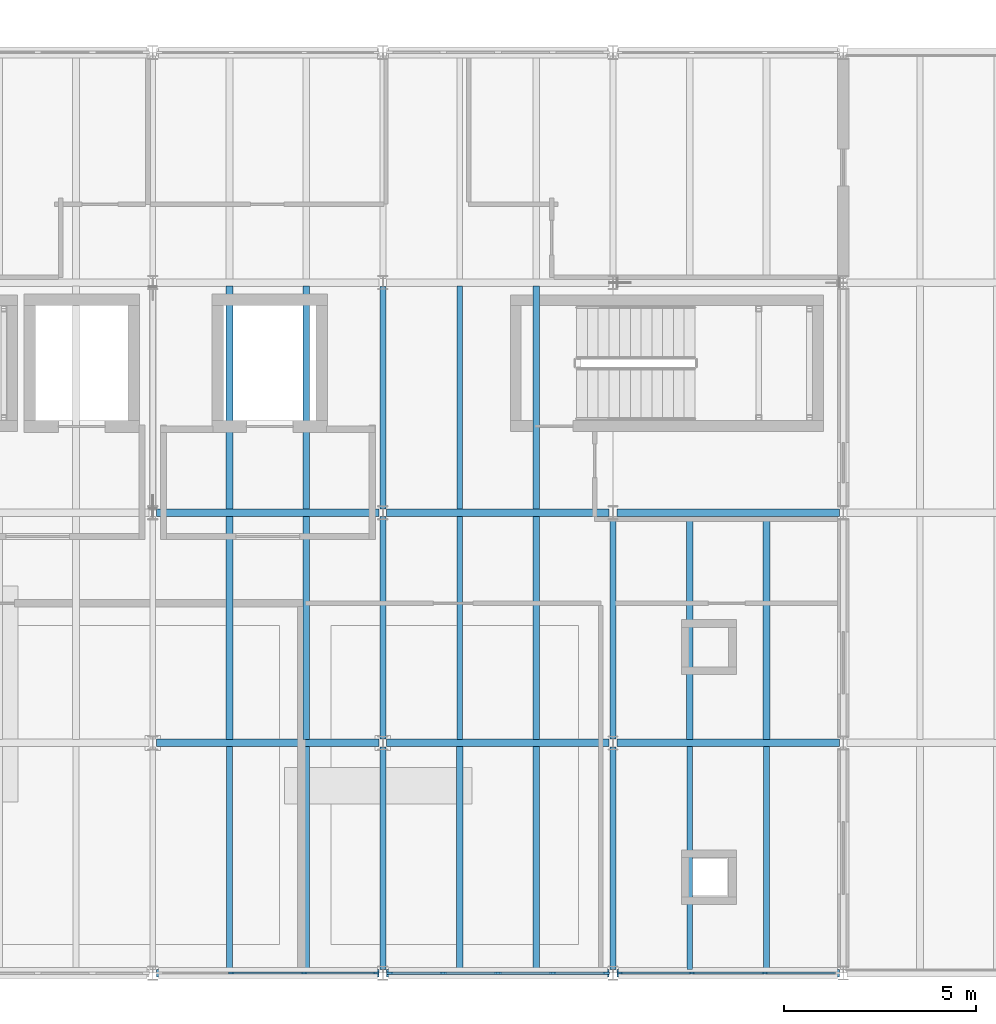
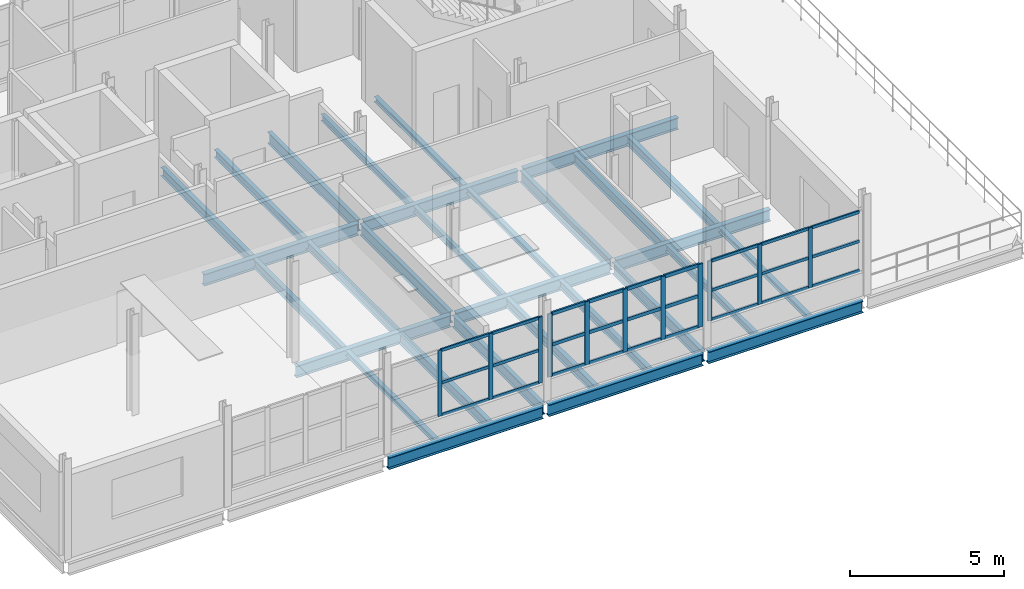
# One storey, part 8 of 23: 38 members, 30 beams, 3 elements without a shape of their own.
"""IFC4 building model written with IfcOpenShell, lengths in metres."""

import ifcopenshell
import ifcopenshell.guid

model = None  # the IFC model being written
_history = None  # IfcOwnerHistory: only IFC2X3 demands one
_inside = {}  # id of a spatial element -> (the spatial element, [elements in it])
_under = {}  # id of a project, library or spatial element -> (it, [spatial elements below it])
_declared = {}  # id of a project -> (the project, [libraries it declares])
_typed = {}  # id of a type object -> (the type object, [elements of that type])
_made_of = {}  # id of a material, layer set ... -> (it, [elements and type objects made of it])


def new_model(schema):
    """Start an empty IFC model of exactly this schema.

    Asked for "IFC4X3", IfcOpenShell would pick the latest addendum, in which some entities
    have other attributes; the version numbers below select the first issue.
    IFC2X3 requires an IfcOwnerHistory on every rooted entity: one is made here for all.
    """
    global model, _history
    if schema == "IFC4X3":
        model = ifcopenshell.file(schema_version=(4, 3, 0, 0))
    else:
        model = ifcopenshell.file(schema=schema)
    _inside.clear()
    _under.clear()
    _declared.clear()
    _typed.clear()
    _made_of.clear()
    _history = None
    if model.schema == "IFC2X3":
        org = make("IfcOrganization", Name="unknown")
        user = make(
            "IfcPersonAndOrganization",
            ThePerson=make("IfcPerson", FamilyName="unknown"),
            TheOrganization=org,
        )
        app = make(
            "IfcApplication",
            ApplicationDeveloper=org,
            Version="unknown",
            ApplicationFullName="unknown",
            ApplicationIdentifier="unknown",
        )
        _history = make(
            "IfcOwnerHistory",
            OwningUser=user,
            OwningApplication=app,
            ChangeAction="ADDED",
            CreationDate=0,
        )
    return model


def make(cls, **values):
    """One entity of the class cls with the attributes given. An attribute that is None is left unset."""
    return model.create_entity(
        cls, **{name: value for name, value in values.items() if value is not None}
    )


def rooted(cls, **values):
    """An entity with a GlobalId (a new one), such as an element, a storey or a relation."""
    return make(cls, GlobalId=ifcopenshell.guid.new(), OwnerHistory=_history, **values)


def si_unit(unit_type, name, prefix=None):
    """IfcSIUnit, for example si_unit("LENGTHUNIT", "METRE", prefix="MILLI")."""
    return make("IfcSIUnit", UnitType=unit_type, Prefix=prefix, Name=name)


def assignment(units):
    """IfcUnitAssignment: the units of a project."""
    return None if units is None else make("IfcUnitAssignment", Units=units)


def point(xyz):
    """IfcCartesianPoint."""
    return None if xyz is None else make("IfcCartesianPoint", Coordinates=xyz)


def direction(xyz):
    """IfcDirection."""
    return None if xyz is None else make("IfcDirection", DirectionRatios=xyz)


def frame(location, z_axis=None, x_axis=None):
    """IfcAxis2Placement3D, a coordinate frame: its origin and axes. An axis left out is left unset."""
    return make(
        "IfcAxis2Placement3D",
        Location=point(location),
        Axis=direction(z_axis),
        RefDirection=direction(x_axis),
    )


def frame_2d(location, x_axis=None):
    """IfcAxis2Placement2D, a coordinate frame in the plane: its origin and x axis."""
    return make(
        "IfcAxis2Placement2D", Location=point(location), RefDirection=direction(x_axis)
    )


def origin():
    """The frame at (0, 0, 0) with its axes left unset."""
    return frame((0.0, 0.0, 0.0))


def origin_2d():
    """The frame at (0, 0) in the plane with its x axis left unset."""
    return frame_2d((0.0, 0.0))


def place(relative_to, where):
    """IfcLocalPlacement: puts the frame where relative to a parent placement (None: the world)."""
    return make(
        "IfcLocalPlacement", PlacementRelTo=relative_to, RelativePlacement=where
    )


def context(
    kind, dimensions, precision=None, world=None, true_north=None, identifier=None
):
    """IfcGeometricRepresentationContext, for example the 3D "Model" context."""
    return make(
        "IfcGeometricRepresentationContext",
        ContextIdentifier=identifier,
        ContextType=kind,
        CoordinateSpaceDimension=dimensions,
        Precision=precision,
        WorldCoordinateSystem=world,
        TrueNorth=true_north,
    )


def subcontext(parent, identifier, kind, view, scale=None):
    """IfcGeometricRepresentationSubContext, for example "Body" below "Model"."""
    return make(
        "IfcGeometricRepresentationSubContext",
        ContextIdentifier=identifier,
        ContextType=kind,
        ParentContext=parent,
        TargetScale=scale,
        TargetView=view,
    )


def project(units=None, contexts=None):
    """IfcProject with its units and contexts."""
    return rooted(
        "IfcProject",
        Name="project",
        RepresentationContexts=contexts,
        UnitsInContext=assignment(units),
    )


def spatial(cls, under=None, at=None, **own):
    """A site, building, storey or space (cls), placed at a placement, below another one or the project."""
    s = rooted(cls, ObjectPlacement=at, **own)
    if under is not None:
        _under.setdefault(under.id(), (under, []))[1].append(s)
    return s


def profile(cls, at=None, kind="AREA", **sizes):
    """A parametric profile (cls). Its sizes go by their IFC names, for example OverallWidth=200.0."""
    return make(cls, ProfileType=kind, Position=at, **sizes)


def rectangle(**sizes):
    """IfcRectangleProfileDef."""
    return profile("IfcRectangleProfileDef", **sizes)


def i_section(**sizes):
    """IfcIShapeProfileDef."""
    return profile("IfcIShapeProfileDef", **sizes)


def extrude(swept, where, along, depth):
    """IfcExtrudedAreaSolid: the profile swept, set in the frame where, extruded along a direction by depth."""
    return make(
        "IfcExtrudedAreaSolid",
        SweptArea=swept,
        Position=where,
        ExtrudedDirection=direction(along),
        Depth=depth,
    )


def shape(context_of_items, identifier, shape_type, items):
    """IfcShapeRepresentation: the items that make up one representation, for example the "Body"."""
    return make(
        "IfcShapeRepresentation",
        ContextOfItems=context_of_items,
        RepresentationIdentifier=identifier,
        RepresentationType=shape_type,
        Items=items,
    )


def material(Name=None, Category=None):
    """IfcMaterial."""
    return make("IfcMaterial", Name=Name, Category=Category)


def material_profile(
    of_material, cross_section, Name=None, Category=None, Priority=None
):
    """IfcMaterialProfile: a cross section and its material."""
    return make(
        "IfcMaterialProfile",
        Name=Name,
        Material=of_material,
        Profile=cross_section,
        Priority=Priority,
        Category=Category,
    )


def profile_set(profiles, Name=None, composite=None):
    """IfcMaterialProfileSet."""
    return make(
        "IfcMaterialProfileSet",
        Name=Name,
        MaterialProfiles=profiles,
        CompositeProfile=composite,
    )


def made_of(thing, what):
    """Note that an element or type object is made of a material, layer set ...; save() writes the relation."""
    if what is not None:
        _made_of.setdefault(what.id(), (what, []))[1].append(thing)
    return thing


def type_object(cls, material=None, **own):
    """A type object (cls), such as IfcWallType, which elements share."""
    return made_of(rooted(cls, **own), material)


def element(
    cls,
    number,
    at=None,
    inside=None,
    cuts=None,
    type_object=None,
    material=None,
    context=None,
    identifier="Body",
    shape_type=None,
    held_by="IfcProductDefinitionShape",
    body=None,
    shapes=None,
    **own,
):
    """One element of the class cls, such as IfcWall. Its Tag is "e" and its number.

    at: its placement. inside: the storey or other place that contains it. cuts: it is an
    opening in that element (IfcRelVoidsElement). A single representation is given by context,
    identifier, shape_type and body (its items); several are given by shapes. held_by: the class
    of the entity that holds the representations. save() writes the other relations.
    """
    e = rooted(cls, Tag="e%d" % number, ObjectPlacement=at, **own)
    if body is not None:
        shapes = [shape(context, identifier, shape_type, body)]
    if shapes is not None:
        e.Representation = make(held_by, Representations=shapes)
    if inside is not None:
        _inside.setdefault(inside.id(), (inside, []))[1].append(e)
    if cuts is not None:
        rooted(
            "IfcRelVoidsElement", RelatingBuildingElement=cuts, RelatedOpeningElement=e
        )
    if type_object is not None:
        _typed.setdefault(type_object.id(), (type_object, []))[1].append(e)
    return made_of(e, material)


def aggregate(whole, parts):
    """IfcRelAggregates: a whole, such as a stair, and the parts it consists of."""
    return rooted("IfcRelAggregates", RelatingObject=whole, RelatedObjects=parts)


def save(model, path):
    """Write the relations noted so far, then the file.

    IfcRelAggregates (storeys below a building ...), IfcRelContainedInSpatialStructure (elements
    in a storey), IfcRelDefinesByType, IfcRelAssociatesMaterial and IfcRelDeclares: one each for
    every whole, place, type object, material and project.
    """
    for whole, parts in _under.values():
        aggregate(whole, parts)
    for where, things in _inside.values():
        rooted(
            "IfcRelContainedInSpatialStructure",
            RelatedElements=things,
            RelatingStructure=where,
        )
    for kind, things in _typed.values():
        rooted("IfcRelDefinesByType", RelatedObjects=things, RelatingType=kind)
    for what, things in _made_of.values():
        rooted("IfcRelAssociatesMaterial", RelatedObjects=things, RelatingMaterial=what)
    for by, libraries in _declared.values():
        rooted("IfcRelDeclares", RelatingContext=by, RelatedDefinitions=libraries)
    model.write(path)


model = new_model("IFC4")

# Units and contexts
model_context = context("Model", 3, precision=1e-05, world=origin(), true_north=direction((0.0, 1.0)))
body_context = subcontext(model_context, "Body", "Model", "MODEL_VIEW")
ifc_project = project(units=[si_unit("LENGTHUNIT", "METRE"), si_unit("AREAUNIT", "SQUARE_METRE"), si_unit("VOLUMEUNIT", "CUBIC_METRE"), si_unit("PLANEANGLEUNIT", "RADIAN"), si_unit("MASSUNIT", "GRAM", prefix="KILO")], contexts=[model_context])

# Site, building, storey
site_placement = place(None, origin())
site = spatial("IfcSite", under=ifc_project, at=site_placement, CompositionType="ELEMENT")
building_placement = place(site_placement, origin())
building = spatial("IfcBuilding", under=site, at=building_placement, Name="Siltcreek Boulevard Central Fire Station", CompositionType="ELEMENT")
storey_placement = place(building_placement, frame((0.0, 0.0, 14.0)))
storey = spatial("IfcBuildingStorey", under=building, at=storey_placement, Name="L04", CompositionType="ELEMENT", Elevation=14.0)

# Beams
ifc_material_1 = material(Name="Structural steel ASTM A992 Gr50", Category="steel")
ifc_material_profile_1 = material_profile(ifc_material_1, i_section(OverallWidth=0.154052734375, OverallDepth=0.458984375, WebThickness=0.009033203125, FlangeThickness=0.015380859375, at=origin_2d()), Name="W460X68")
ifc_profile_set_1 = profile_set([ifc_material_profile_1], Name="Structural steel ASTM A992 Gr50")
beam_type_1 = type_object("IfcBeamType", Name="BM_W460X68", PredefinedType="BEAM", material=ifc_profile_set_1)
for number, where, z_axis, x_axis, name in (
    (1, (142.199951171875, 88.300048828125, -0.489501953125), (0.0, 1.0, 0.0), (-1.0, 0.0, 0.0), "L04 primary steel girder GY-0579"),
    (2, (142.199951171875, 94.300048828125, -0.489501953125), (0.0, 1.0, 0.0), (-1.0, 0.0, 0.0), "L04 primary steel girder GY-0580"),
    (3, (142.199951171875, 100.300048828125, -0.489501953125), (0.0, 1.0, 0.0), (-1.0, 0.0, 0.0), "L04 primary steel girder GY-0581"),
    (4, (148.199951171875, 88.300048828125, -0.489501953125), (0.0, 1.0, 0.0), (-1.0, 0.0, 0.0), "L04 primary steel girder GY-0583"),
    (5, (148.199951171875, 94.300048828125, -0.489501953125), (0.0, 1.0, 0.0), (-1.0, 0.0, 0.0), "L04 primary steel girder GY-0584"),
):
    element("IfcBeam", number, at=place(storey_placement, frame(where, z_axis=z_axis, x_axis=x_axis)), inside=storey, type_object=beam_type_1, Name=name, PredefinedType="BEAM", context=body_context, shape_type="SweptSolid", body=[
        extrude(i_section(OverallWidth=0.154052734375, OverallDepth=0.458984375, WebThickness=0.009033203125, FlangeThickness=0.015380859375, at=origin_2d()), origin(), (0.0, 0.0, 1.0), 5.800048828125),
    ])
ifc_material_profile_2 = material_profile(ifc_material_1, i_section(OverallWidth=0.19189453125, OverallDepth=0.462890625, WebThickness=0.010498046875, FlangeThickness=0.017578125, at=origin_2d()), Name="W460X89")
ifc_profile_set_2 = profile_set([ifc_material_profile_2], Name="Structural steel ASTM A992 Gr50")
beam_type_2 = type_object("IfcBeamType", Name="BM_W460X89", PredefinedType="BEAM", material=ifc_profile_set_2)
for number, where, z_axis, x_axis, name in (
    (6, (136.300048828125, 88.199951171875, -0.491455078125), (1.0, 0.0, 0.0), (0.0, 1.0, 0.0), "L04 primary steel girder GX-0540"),
    (7, (142.300048828125, 88.199951171875, -0.491455078125), (1.0, 0.0, 0.0), (0.0, 1.0, 0.0), "L04 primary steel girder GX-0541"),
    (8, (148.300048828125, 88.199951171875, -0.491455078125), (1.0, 0.0, 0.0), (0.0, 1.0, 0.0), "L04 primary steel girder GX-0542"),
    (9, (136.300048828125, 94.199951171875, -0.491455078125), (1.0, 0.0, 0.0), (0.0, 1.0, 0.0), "L04 primary steel girder GX-0546"),
    (10, (142.300048828125, 94.199951171875, -0.491455078125), (1.0, 0.0, 0.0), (0.0, 1.0, 0.0), "L04 primary steel girder GX-0547"),
    (11, (148.300048828125, 94.199951171875, -0.491455078125), (1.0, 0.0, 0.0), (0.0, 1.0, 0.0), "L04 primary steel girder GX-0548"),
    (12, (136.300048828125, 100.199951171875, -0.491455078125), (1.0, 0.0, 0.0), (0.0, 1.0, 0.0), "L04 primary steel girder GX-0552"),
    (13, (142.300048828125, 100.199951171875, -0.491455078125), (1.0, 0.0, 0.0), (0.0, 1.0, 0.0), "L04 primary steel girder GX-0553"),
    (14, (148.300048828125, 100.199951171875, -0.491455078125), (1.0, 0.0, 0.0), (0.0, 1.0, 0.0), "L04 primary steel girder GX-0554"),
):
    element("IfcBeam", number, at=place(storey_placement, frame(where, z_axis=z_axis, x_axis=x_axis)), inside=storey, type_object=beam_type_2, Name=name, PredefinedType="BEAM", context=body_context, shape_type="SweptSolid", body=[
        extrude(i_section(OverallWidth=0.19189453125, OverallDepth=0.462890625, WebThickness=0.010498046875, FlangeThickness=0.017578125, at=origin_2d()), origin(), (0.0, 0.0, 1.0), 5.800048828125),
    ])

# Curtain wall, members
ifc_material_2 = material(Name="Anodized aluminum and low-E insulated glazing", Category="aluminium")
curtain_wall_type_1 = type_object("IfcCurtainWallType", Name="CW_SYS_16", PredefinedType="USERDEFINED", material=ifc_material_2)
curtain_wall_1_placement = place(storey_placement, origin())
curtain_wall_1 = element("IfcCurtainWall", 15, at=curtain_wall_1_placement, inside=storey, type_object=curtain_wall_type_1, Name="L04 V5 unitised curtain wall CW-165", ObjectType="CURTAIN WALL", PredefinedType="USERDEFINED")
ifc_material_3 = material(Name="Anodized 6063-T6 aluminum framing", Category="aluminium")
ifc_material_profile_3 = material_profile(ifc_material_3, rectangle(XDim=0.06005859375, YDim=0.14990234375, at=origin_2d()), Name="MULL60X150")
ifc_profile_set_3 = profile_set([ifc_material_profile_3], Name="Anodized 6063-T6 aluminum framing")
member_type_1 = type_object("IfcMemberType", Name="CWM_60X150", PredefinedType="MULLION", material=ifc_profile_set_3)
member_1_placement = place(storey_placement, frame((138.248291015625, 88.199951171875, 0.679931640625), z_axis=(0.0, 0.0, 1.0), x_axis=(0.0, 1.0, 0.0)))
member_1 = element("IfcMember", 16, at=member_1_placement, type_object=member_type_1, Name="CW-165 mullion 2", PredefinedType="MULLION", context=body_context, shape_type="SweptSolid", body=[
    extrude(rectangle(XDim=0.06005859375, YDim=0.14990234375, at=origin_2d()), origin(), (0.0, 0.0, 1.0), 2.619140625),
])
member_2_placement = place(storey_placement, frame((140.151611328125, 88.199951171875, 0.679931640625), z_axis=(0.0, 0.0, 1.0), x_axis=(0.0, 1.0, 0.0)))
member_2 = element("IfcMember", 17, at=member_2_placement, type_object=member_type_1, Name="CW-165 mullion 3", PredefinedType="MULLION", context=body_context, shape_type="SweptSolid", body=[
    extrude(rectangle(XDim=0.06005859375, YDim=0.14990234375, at=origin_2d()), origin(), (0.0, 0.0, 1.0), 2.619140625),
])
member_3_placement = place(storey_placement, frame((142.02490234375, 88.199951171875, 0.679931640625), z_axis=(0.0, 0.0, 1.0), x_axis=(0.0, 1.0, 0.0)))
member_3 = element("IfcMember", 18, at=member_3_placement, type_object=member_type_1, Name="CW-165 mullion 4", PredefinedType="MULLION", context=body_context, shape_type="SweptSolid", body=[
    extrude(rectangle(XDim=0.06005859375, YDim=0.14990234375, at=origin_2d()), origin(), (0.0, 0.0, 1.0), 2.619140625),
])

curtain_wall_type_2 = type_object("IfcCurtainWallType", Name="CW_SYS_18", PredefinedType="USERDEFINED", material=ifc_material_2)
curtain_wall_2_placement = place(storey_placement, origin())
curtain_wall_2 = element("IfcCurtainWall", 19, at=curtain_wall_2_placement, inside=storey, type_object=curtain_wall_type_2, Name="L04 V5 unitised curtain wall CW-167", ObjectType="CURTAIN WALL", PredefinedType="USERDEFINED")
member_4_placement = place(storey_placement, frame((148.375, 88.199951171875, 0.919921875), z_axis=(0.0, 0.0, 1.0), x_axis=(0.0, 1.0, 0.0)))
member_4 = element("IfcMember", 20, at=member_4_placement, type_object=member_type_1, Name="CW-167 mullion 1", PredefinedType="MULLION", context=body_context, shape_type="SweptSolid", body=[
    extrude(rectangle(XDim=0.06005859375, YDim=0.14990234375, at=origin_2d()), origin(), (0.0, 0.0, 1.0), 2.379150390625),
])
member_5_placement = place(storey_placement, frame((150.248291015625, 88.199951171875, 0.919921875), z_axis=(0.0, 0.0, 1.0), x_axis=(0.0, 1.0, 0.0)))
member_5 = element("IfcMember", 21, at=member_5_placement, type_object=member_type_1, Name="CW-167 mullion 2", PredefinedType="MULLION", context=body_context, shape_type="SweptSolid", body=[
    extrude(rectangle(XDim=0.06005859375, YDim=0.14990234375, at=origin_2d()), origin(), (0.0, 0.0, 1.0), 2.379150390625),
])
member_6_placement = place(storey_placement, frame((152.151611328125, 88.199951171875, 0.919921875), z_axis=(0.0, 0.0, 1.0), x_axis=(0.0, 1.0, 0.0)))
member_6 = element("IfcMember", 22, at=member_6_placement, type_object=member_type_1, Name="CW-167 mullion 3", PredefinedType="MULLION", context=body_context, shape_type="SweptSolid", body=[
    extrude(rectangle(XDim=0.06005859375, YDim=0.14990234375, at=origin_2d()), origin(), (0.0, 0.0, 1.0), 2.379150390625),
])

curtain_wall_type_3 = type_object("IfcCurtainWallType", Name="CW_SYS_17", PredefinedType="USERDEFINED", material=ifc_material_2)
curtain_wall_3_placement = place(storey_placement, origin())
curtain_wall_3 = element("IfcCurtainWall", 23, at=curtain_wall_3_placement, inside=storey, type_object=curtain_wall_type_3, Name="L04 V5 unitised curtain wall CW-166", ObjectType="CURTAIN WALL", PredefinedType="USERDEFINED")
ifc_material_profile_4 = material_profile(ifc_material_3, rectangle(XDim=0.06494140625, YDim=0.175048828125, at=origin_2d()), Name="MULL65X175")
ifc_profile_set_4 = profile_set([ifc_material_profile_4], Name="Anodized 6063-T6 aluminum framing")
member_type_2 = type_object("IfcMemberType", Name="CWM_65X175", PredefinedType="MULLION", material=ifc_profile_set_4)
member_7_placement = place(storey_placement, frame((142.37744140625, 88.199951171875, 0.800048828125), z_axis=(0.0, 0.0, 1.0), x_axis=(0.0, 1.0, 0.0)))
member_7 = element("IfcMember", 24, at=member_7_placement, type_object=member_type_2, Name="CW-166 mullion 1", PredefinedType="MULLION", context=body_context, shape_type="SweptSolid", body=[
    extrude(rectangle(XDim=0.06494140625, YDim=0.175048828125, at=origin_2d()), origin(), (0.0, 0.0, 1.0), 2.4990234375),
])
member_8_placement = place(storey_placement, frame((143.7724609375, 88.199951171875, 0.800048828125), z_axis=(0.0, 0.0, 1.0), x_axis=(0.0, 1.0, 0.0)))
member_8 = element("IfcMember", 25, at=member_8_placement, type_object=member_type_2, Name="CW-166 mullion 2", PredefinedType="MULLION", context=body_context, shape_type="SweptSolid", body=[
    extrude(rectangle(XDim=0.06494140625, YDim=0.175048828125, at=origin_2d()), origin(), (0.0, 0.0, 1.0), 2.4990234375),
])
member_9_placement = place(storey_placement, frame((145.199951171875, 88.199951171875, 0.800048828125), z_axis=(0.0, 0.0, 1.0), x_axis=(0.0, 1.0, 0.0)))
member_9 = element("IfcMember", 26, at=member_9_placement, type_object=member_type_2, Name="CW-166 mullion 3", PredefinedType="MULLION", context=body_context, shape_type="SweptSolid", body=[
    extrude(rectangle(XDim=0.06494140625, YDim=0.175048828125, at=origin_2d()), origin(), (0.0, 0.0, 1.0), 2.4990234375),
])
member_10_placement = place(storey_placement, frame((146.62744140625, 88.199951171875, 0.800048828125), z_axis=(0.0, 0.0, 1.0), x_axis=(0.0, 1.0, 0.0)))
member_10 = element("IfcMember", 27, at=member_10_placement, type_object=member_type_2, Name="CW-166 mullion 4", PredefinedType="MULLION", context=body_context, shape_type="SweptSolid", body=[
    extrude(rectangle(XDim=0.06494140625, YDim=0.175048828125, at=origin_2d()), origin(), (0.0, 0.0, 1.0), 2.4990234375),
])
member_11_placement = place(storey_placement, frame((148.0224609375, 88.199951171875, 0.800048828125), z_axis=(0.0, 0.0, 1.0), x_axis=(0.0, 1.0, 0.0)))
member_11 = element("IfcMember", 28, at=member_11_placement, type_object=member_type_2, Name="CW-166 mullion 5", PredefinedType="MULLION", context=body_context, shape_type="SweptSolid", body=[
    extrude(rectangle(XDim=0.06494140625, YDim=0.175048828125, at=origin_2d()), origin(), (0.0, 0.0, 1.0), 2.4990234375),
])

# Member
ifc_material_profile_5 = material_profile(ifc_material_3, rectangle(XDim=0.06005859375, YDim=0.114990234375, at=origin_2d()), Name="TRAN60X115")
ifc_profile_set_5 = profile_set([ifc_material_profile_5], Name="Anodized 6063-T6 aluminum framing")
member_type_3 = type_object("IfcMemberType", Name="CWT_60X115", PredefinedType="USERDEFINED", material=ifc_profile_set_5)
member_12_placement = place(storey_placement, frame((138.2783203125, 88.199951171875, 0.7099609375), z_axis=(1.0, 0.0, 0.0), x_axis=(0.0, 1.0, 0.0)))
member_12 = element("IfcMember", 29, at=member_12_placement, type_object=member_type_3, Name="CW-165 transom 2.1", ObjectType="TRANSOM", PredefinedType="USERDEFINED", context=body_context, shape_type="SweptSolid", body=[
    extrude(rectangle(XDim=0.06005859375, YDim=0.114990234375, at=origin_2d()), origin(), (0.0, 0.0, 1.0), 1.84326171875),
])

member_13_placement = place(storey_placement, frame((138.2783203125, 88.199951171875, 1.989501953125), z_axis=(1.0, 0.0, 0.0), x_axis=(0.0, 1.0, 0.0)))
member_13 = element("IfcMember", 30, at=member_13_placement, type_object=member_type_3, Name="CW-165 transom 2.2", ObjectType="TRANSOM", PredefinedType="USERDEFINED", context=body_context, shape_type="SweptSolid", body=[
    extrude(rectangle(XDim=0.06005859375, YDim=0.114990234375, at=origin_2d()), origin(), (0.0, 0.0, 1.0), 1.84326171875),
])

member_14_placement = place(storey_placement, frame((138.2783203125, 88.199951171875, 3.26904296875), z_axis=(1.0, 0.0, 0.0), x_axis=(0.0, 1.0, 0.0)))
member_14 = element("IfcMember", 31, at=member_14_placement, type_object=member_type_3, Name="CW-165 transom 2.3", ObjectType="TRANSOM", PredefinedType="USERDEFINED", context=body_context, shape_type="SweptSolid", body=[
    extrude(rectangle(XDim=0.06005859375, YDim=0.114990234375, at=origin_2d()), origin(), (0.0, 0.0, 1.0), 1.84326171875),
])

member_15_placement = place(storey_placement, frame((140.181640625, 88.199951171875, 0.7099609375), z_axis=(1.0, 0.0, 0.0), x_axis=(0.0, 1.0, 0.0)))
member_15 = element("IfcMember", 32, at=member_15_placement, type_object=member_type_3, Name="CW-165 transom 3.1", ObjectType="TRANSOM", PredefinedType="USERDEFINED", context=body_context, shape_type="SweptSolid", body=[
    extrude(rectangle(XDim=0.06005859375, YDim=0.114990234375, at=origin_2d()), origin(), (0.0, 0.0, 1.0), 1.8134765625),
])

member_16_placement = place(storey_placement, frame((140.181640625, 88.199951171875, 1.989501953125), z_axis=(1.0, 0.0, 0.0), x_axis=(0.0, 1.0, 0.0)))
member_16 = element("IfcMember", 33, at=member_16_placement, type_object=member_type_3, Name="CW-165 transom 3.2", ObjectType="TRANSOM", PredefinedType="USERDEFINED", context=body_context, shape_type="SweptSolid", body=[
    extrude(rectangle(XDim=0.06005859375, YDim=0.114990234375, at=origin_2d()), origin(), (0.0, 0.0, 1.0), 1.8134765625),
])

member_17_placement = place(storey_placement, frame((140.181640625, 88.199951171875, 3.26904296875), z_axis=(1.0, 0.0, 0.0), x_axis=(0.0, 1.0, 0.0)))
member_17 = element("IfcMember", 34, at=member_17_placement, type_object=member_type_3, Name="CW-165 transom 3.3", ObjectType="TRANSOM", PredefinedType="USERDEFINED", context=body_context, shape_type="SweptSolid", body=[
    extrude(rectangle(XDim=0.06005859375, YDim=0.114990234375, at=origin_2d()), origin(), (0.0, 0.0, 1.0), 1.8134765625),
])

aggregate(curtain_wall_1, [member_1, member_2, member_3, member_12, member_13, member_14, member_15, member_16, member_17])

member_18_placement = place(storey_placement, frame((148.405029296875, 88.199951171875, 0.949951171875), z_axis=(1.0, 0.0, 0.0), x_axis=(0.0, 1.0, 0.0)))
member_18 = element("IfcMember", 35, at=member_18_placement, type_object=member_type_3, Name="CW-167 transom 1.1", ObjectType="TRANSOM", PredefinedType="USERDEFINED", context=body_context, shape_type="SweptSolid", body=[
    extrude(rectangle(XDim=0.06005859375, YDim=0.114990234375, at=origin_2d()), origin(), (0.0, 0.0, 1.0), 1.813232421875),
])

member_19_placement = place(storey_placement, frame((148.405029296875, 88.199951171875, 2.109619140625), z_axis=(1.0, 0.0, 0.0), x_axis=(0.0, 1.0, 0.0)))
member_19 = element("IfcMember", 36, at=member_19_placement, type_object=member_type_3, Name="CW-167 transom 1.2", ObjectType="TRANSOM", PredefinedType="USERDEFINED", context=body_context, shape_type="SweptSolid", body=[
    extrude(rectangle(XDim=0.06005859375, YDim=0.114990234375, at=origin_2d()), origin(), (0.0, 0.0, 1.0), 1.813232421875),
])

member_20_placement = place(storey_placement, frame((148.405029296875, 88.199951171875, 3.26904296875), z_axis=(1.0, 0.0, 0.0), x_axis=(0.0, 1.0, 0.0)))
member_20 = element("IfcMember", 37, at=member_20_placement, type_object=member_type_3, Name="CW-167 transom 1.3", ObjectType="TRANSOM", PredefinedType="USERDEFINED", context=body_context, shape_type="SweptSolid", body=[
    extrude(rectangle(XDim=0.06005859375, YDim=0.114990234375, at=origin_2d()), origin(), (0.0, 0.0, 1.0), 1.813232421875),
])

member_21_placement = place(storey_placement, frame((150.2783203125, 88.199951171875, 0.949951171875), z_axis=(1.0, 0.0, 0.0), x_axis=(0.0, 1.0, 0.0)))
member_21 = element("IfcMember", 38, at=member_21_placement, type_object=member_type_3, Name="CW-167 transom 2.1", ObjectType="TRANSOM", PredefinedType="USERDEFINED", context=body_context, shape_type="SweptSolid", body=[
    extrude(rectangle(XDim=0.06005859375, YDim=0.114990234375, at=origin_2d()), origin(), (0.0, 0.0, 1.0), 1.84326171875),
])

member_22_placement = place(storey_placement, frame((150.2783203125, 88.199951171875, 2.109619140625), z_axis=(1.0, 0.0, 0.0), x_axis=(0.0, 1.0, 0.0)))
member_22 = element("IfcMember", 39, at=member_22_placement, type_object=member_type_3, Name="CW-167 transom 2.2", ObjectType="TRANSOM", PredefinedType="USERDEFINED", context=body_context, shape_type="SweptSolid", body=[
    extrude(rectangle(XDim=0.06005859375, YDim=0.114990234375, at=origin_2d()), origin(), (0.0, 0.0, 1.0), 1.84326171875),
])

member_23_placement = place(storey_placement, frame((150.2783203125, 88.199951171875, 3.26904296875), z_axis=(1.0, 0.0, 0.0), x_axis=(0.0, 1.0, 0.0)))
member_23 = element("IfcMember", 40, at=member_23_placement, type_object=member_type_3, Name="CW-167 transom 2.3", ObjectType="TRANSOM", PredefinedType="USERDEFINED", context=body_context, shape_type="SweptSolid", body=[
    extrude(rectangle(XDim=0.06005859375, YDim=0.114990234375, at=origin_2d()), origin(), (0.0, 0.0, 1.0), 1.84326171875),
])

member_24_placement = place(storey_placement, frame((152.181640625, 88.199951171875, 0.949951171875), z_axis=(1.0, 0.0, 0.0), x_axis=(0.0, 1.0, 0.0)))
member_24 = element("IfcMember", 41, at=member_24_placement, type_object=member_type_3, Name="CW-167 transom 3.1", ObjectType="TRANSOM", PredefinedType="USERDEFINED", context=body_context, shape_type="SweptSolid", body=[
    extrude(rectangle(XDim=0.06005859375, YDim=0.114990234375, at=origin_2d()), origin(), (0.0, 0.0, 1.0), 1.8134765625),
])

member_25_placement = place(storey_placement, frame((152.181640625, 88.199951171875, 2.109619140625), z_axis=(1.0, 0.0, 0.0), x_axis=(0.0, 1.0, 0.0)))
member_25 = element("IfcMember", 42, at=member_25_placement, type_object=member_type_3, Name="CW-167 transom 3.2", ObjectType="TRANSOM", PredefinedType="USERDEFINED", context=body_context, shape_type="SweptSolid", body=[
    extrude(rectangle(XDim=0.06005859375, YDim=0.114990234375, at=origin_2d()), origin(), (0.0, 0.0, 1.0), 1.8134765625),
])

member_26_placement = place(storey_placement, frame((152.181640625, 88.199951171875, 3.26904296875), z_axis=(1.0, 0.0, 0.0), x_axis=(0.0, 1.0, 0.0)))
member_26 = element("IfcMember", 43, at=member_26_placement, type_object=member_type_3, Name="CW-167 transom 3.3", ObjectType="TRANSOM", PredefinedType="USERDEFINED", context=body_context, shape_type="SweptSolid", body=[
    extrude(rectangle(XDim=0.06005859375, YDim=0.114990234375, at=origin_2d()), origin(), (0.0, 0.0, 1.0), 1.8134765625),
])

aggregate(curtain_wall_2, [member_4, member_5, member_6, member_18, member_19, member_20, member_21, member_22, member_23, member_24, member_25, member_26])

ifc_material_profile_6 = material_profile(ifc_material_3, rectangle(XDim=0.06494140625, YDim=0.135009765625, at=origin_2d()), Name="TRAN65X135")
ifc_profile_set_6 = profile_set([ifc_material_profile_6], Name="Anodized 6063-T6 aluminum framing")
member_type_4 = type_object("IfcMemberType", Name="CWT_65X135", PredefinedType="USERDEFINED", material=ifc_profile_set_6)
member_27_placement = place(storey_placement, frame((142.409912109375, 88.199951171875, 0.83251953125), z_axis=(1.0, 0.0, 0.0), x_axis=(0.0, 1.0, 0.0)))
member_27 = element("IfcMember", 44, at=member_27_placement, type_object=member_type_4, Name="CW-166 transom 1.1", ObjectType="TRANSOM", PredefinedType="USERDEFINED", context=body_context, shape_type="SweptSolid", body=[
    extrude(rectangle(XDim=0.06494140625, YDim=0.135009765625, at=origin_2d()), origin(), (0.0, 0.0, 1.0), 1.330078125),
])

member_28_placement = place(storey_placement, frame((142.409912109375, 88.199951171875, 2.049560546875), z_axis=(1.0, 0.0, 0.0), x_axis=(0.0, 1.0, 0.0)))
member_28 = element("IfcMember", 45, at=member_28_placement, type_object=member_type_4, Name="CW-166 transom 1.2", ObjectType="TRANSOM", PredefinedType="USERDEFINED", context=body_context, shape_type="SweptSolid", body=[
    extrude(rectangle(XDim=0.06494140625, YDim=0.135009765625, at=origin_2d()), origin(), (0.0, 0.0, 1.0), 1.330078125),
])

member_29_placement = place(storey_placement, frame((142.409912109375, 88.199951171875, 3.2666015625), z_axis=(1.0, 0.0, 0.0), x_axis=(0.0, 1.0, 0.0)))
member_29 = element("IfcMember", 46, at=member_29_placement, type_object=member_type_4, Name="CW-166 transom 1.3", ObjectType="TRANSOM", PredefinedType="USERDEFINED", context=body_context, shape_type="SweptSolid", body=[
    extrude(rectangle(XDim=0.06494140625, YDim=0.135009765625, at=origin_2d()), origin(), (0.0, 0.0, 1.0), 1.330078125),
])

member_30_placement = place(storey_placement, frame((143.804931640625, 88.199951171875, 0.83251953125), z_axis=(1.0, 0.0, 0.0), x_axis=(0.0, 1.0, 0.0)))
member_30 = element("IfcMember", 47, at=member_30_placement, type_object=member_type_4, Name="CW-166 transom 2.1", ObjectType="TRANSOM", PredefinedType="USERDEFINED", context=body_context, shape_type="SweptSolid", body=[
    extrude(rectangle(XDim=0.06494140625, YDim=0.135009765625, at=origin_2d()), origin(), (0.0, 0.0, 1.0), 1.362548828125),
])

member_31_placement = place(storey_placement, frame((143.804931640625, 88.199951171875, 2.049560546875), z_axis=(1.0, 0.0, 0.0), x_axis=(0.0, 1.0, 0.0)))
member_31 = element("IfcMember", 48, at=member_31_placement, type_object=member_type_4, Name="CW-166 transom 2.2", ObjectType="TRANSOM", PredefinedType="USERDEFINED", context=body_context, shape_type="SweptSolid", body=[
    extrude(rectangle(XDim=0.06494140625, YDim=0.135009765625, at=origin_2d()), origin(), (0.0, 0.0, 1.0), 1.362548828125),
])

member_32_placement = place(storey_placement, frame((143.804931640625, 88.199951171875, 3.2666015625), z_axis=(1.0, 0.0, 0.0), x_axis=(0.0, 1.0, 0.0)))
member_32 = element("IfcMember", 49, at=member_32_placement, type_object=member_type_4, Name="CW-166 transom 2.3", ObjectType="TRANSOM", PredefinedType="USERDEFINED", context=body_context, shape_type="SweptSolid", body=[
    extrude(rectangle(XDim=0.06494140625, YDim=0.135009765625, at=origin_2d()), origin(), (0.0, 0.0, 1.0), 1.362548828125),
])

member_33_placement = place(storey_placement, frame((145.232421875, 88.199951171875, 0.83251953125), z_axis=(1.0, 0.0, 0.0), x_axis=(0.0, 1.0, 0.0)))
member_33 = element("IfcMember", 50, at=member_33_placement, type_object=member_type_4, Name="CW-166 transom 3.1", ObjectType="TRANSOM", PredefinedType="USERDEFINED", context=body_context, shape_type="SweptSolid", body=[
    extrude(rectangle(XDim=0.06494140625, YDim=0.135009765625, at=origin_2d()), origin(), (0.0, 0.0, 1.0), 1.362548828125),
])

member_34_placement = place(storey_placement, frame((145.232421875, 88.199951171875, 2.049560546875), z_axis=(1.0, 0.0, 0.0), x_axis=(0.0, 1.0, 0.0)))
member_34 = element("IfcMember", 51, at=member_34_placement, type_object=member_type_4, Name="CW-166 transom 3.2", ObjectType="TRANSOM", PredefinedType="USERDEFINED", context=body_context, shape_type="SweptSolid", body=[
    extrude(rectangle(XDim=0.06494140625, YDim=0.135009765625, at=origin_2d()), origin(), (0.0, 0.0, 1.0), 1.362548828125),
])

member_35_placement = place(storey_placement, frame((145.232421875, 88.199951171875, 3.2666015625), z_axis=(1.0, 0.0, 0.0), x_axis=(0.0, 1.0, 0.0)))
member_35 = element("IfcMember", 52, at=member_35_placement, type_object=member_type_4, Name="CW-166 transom 3.3", ObjectType="TRANSOM", PredefinedType="USERDEFINED", context=body_context, shape_type="SweptSolid", body=[
    extrude(rectangle(XDim=0.06494140625, YDim=0.135009765625, at=origin_2d()), origin(), (0.0, 0.0, 1.0), 1.362548828125),
])

member_36_placement = place(storey_placement, frame((146.659912109375, 88.199951171875, 0.83251953125), z_axis=(1.0, 0.0, 0.0), x_axis=(0.0, 1.0, 0.0)))
member_36 = element("IfcMember", 53, at=member_36_placement, type_object=member_type_4, Name="CW-166 transom 4.1", ObjectType="TRANSOM", PredefinedType="USERDEFINED", context=body_context, shape_type="SweptSolid", body=[
    extrude(rectangle(XDim=0.06494140625, YDim=0.135009765625, at=origin_2d()), origin(), (0.0, 0.0, 1.0), 1.330078125),
])

member_37_placement = place(storey_placement, frame((146.659912109375, 88.199951171875, 2.049560546875), z_axis=(1.0, 0.0, 0.0), x_axis=(0.0, 1.0, 0.0)))
member_37 = element("IfcMember", 54, at=member_37_placement, type_object=member_type_4, Name="CW-166 transom 4.2", ObjectType="TRANSOM", PredefinedType="USERDEFINED", context=body_context, shape_type="SweptSolid", body=[
    extrude(rectangle(XDim=0.06494140625, YDim=0.135009765625, at=origin_2d()), origin(), (0.0, 0.0, 1.0), 1.330078125),
])

member_38_placement = place(storey_placement, frame((146.659912109375, 88.199951171875, 3.2666015625), z_axis=(1.0, 0.0, 0.0), x_axis=(0.0, 1.0, 0.0)))
member_38 = element("IfcMember", 55, at=member_38_placement, type_object=member_type_4, Name="CW-166 transom 4.3", ObjectType="TRANSOM", PredefinedType="USERDEFINED", context=body_context, shape_type="SweptSolid", body=[
    extrude(rectangle(XDim=0.06494140625, YDim=0.135009765625, at=origin_2d()), origin(), (0.0, 0.0, 1.0), 1.330078125),
])

aggregate(curtain_wall_3, [member_7, member_8, member_9, member_10, member_11, member_27, member_28, member_29, member_30, member_31, member_32, member_33, member_34, member_35, member_36, member_37, member_38])

# Beams
ifc_material_profile_7 = material_profile(ifc_material_1, i_section(OverallWidth=0.1650390625, OverallDepth=0.200927734375, WebThickness=0.006103515625, FlangeThickness=0.01025390625, at=origin_2d()), Name="W200X36")
ifc_profile_set_7 = profile_set([ifc_material_profile_7], Name="Structural steel ASTM A992 Gr50")
beam_type_3 = type_object("IfcBeamType", Name="JST_W200X36", PredefinedType="JOIST", material=ifc_profile_set_7)
for number, where, z_axis, x_axis, name in (
    (56, (138.199951171875, 88.2939453125, -0.360595703125), (0.0, 1.0, 0.0), (-1.0, 0.0, 0.0), "L04 secondary steel floor joist 0465"),
    (57, (152.199951171875, 88.2939453125, -0.360595703125), (0.0, 1.0, 0.0), (-1.0, 0.0, 0.0), "L04 secondary steel floor joist 0470"),
    (58, (146.199951171875, 94.2939453125, -0.360595703125), (0.0, 1.0, 0.0), (-1.0, 0.0, 0.0), "L04 secondary steel floor joist 0480"),
    (59, (146.199951171875, 100.2939453125, -0.360595703125), (0.0, 1.0, 0.0), (-1.0, 0.0, 0.0), "L04 secondary steel floor joist 0490"),
):
    element("IfcBeam", number, at=place(storey_placement, frame(where, z_axis=z_axis, x_axis=x_axis)), inside=storey, type_object=beam_type_3, Name=name, PredefinedType="JOIST", context=body_context, shape_type="SweptSolid", body=[
        extrude(i_section(OverallWidth=0.1650390625, OverallDepth=0.200927734375, WebThickness=0.006103515625, FlangeThickness=0.01025390625, at=origin_2d()), origin(), (0.0, 0.0, 1.0), 5.81201171875),
    ])
ifc_material_profile_8 = material_profile(ifc_material_1, i_section(OverallWidth=0.14697265625, OverallDepth=0.261962890625, WebThickness=0.006591796875, FlangeThickness=0.01123046875, at=origin_2d()), Name="W250X39")
ifc_profile_set_8 = profile_set([ifc_material_profile_8], Name="Structural steel ASTM A992 Gr50")
beam_type_4 = type_object("IfcBeamType", Name="JST_W250X39", PredefinedType="JOIST", material=ifc_profile_set_8)
for number, where, z_axis, x_axis, name in (
    (60, (150.199951171875, 88.2939453125, -0.39111328125), (0.0, 1.0, 0.0), (-1.0, 0.0, 0.0), "L04 secondary steel floor joist 0469"),
    (61, (144.199951171875, 94.2939453125, -0.39111328125), (0.0, 1.0, 0.0), (-1.0, 0.0, 0.0), "L04 secondary steel floor joist 0479"),
    (62, (144.199951171875, 100.2939453125, -0.39111328125), (0.0, 1.0, 0.0), (-1.0, 0.0, 0.0), "L04 secondary steel floor joist 0489"),
):
    element("IfcBeam", number, at=place(storey_placement, frame(where, z_axis=z_axis, x_axis=x_axis)), inside=storey, type_object=beam_type_4, Name=name, PredefinedType="JOIST", context=body_context, shape_type="SweptSolid", body=[
        extrude(i_section(OverallWidth=0.14697265625, OverallDepth=0.261962890625, WebThickness=0.006591796875, FlangeThickness=0.01123046875, at=origin_2d()), origin(), (0.0, 0.0, 1.0), 5.81201171875),
    ])
ifc_material_profile_9 = material_profile(ifc_material_1, i_section(OverallWidth=0.166015625, OverallDepth=0.31298828125, WebThickness=0.006591796875, FlangeThickness=0.01123046875, at=origin_2d()), Name="W310X45")
ifc_profile_set_9 = profile_set([ifc_material_profile_9], Name="Structural steel ASTM A992 Gr50")
beam_type_5 = type_object("IfcBeamType", Name="JST_W310X45", PredefinedType="JOIST", material=ifc_profile_set_9)
for number, where, z_axis, x_axis, name in (
    (63, (146.199951171875, 88.2939453125, -0.41650390625), (0.0, 1.0, 0.0), (-1.0, 0.0, 0.0), "L04 secondary steel floor joist 0468"),
    (64, (140.199951171875, 94.2939453125, -0.41650390625), (0.0, 1.0, 0.0), (-1.0, 0.0, 0.0), "L04 secondary steel floor joist 0478"),
    (65, (140.199951171875, 100.2939453125, -0.41650390625), (0.0, 1.0, 0.0), (-1.0, 0.0, 0.0), "L04 secondary steel floor joist 0488"),
):
    element("IfcBeam", number, at=place(storey_placement, frame(where, z_axis=z_axis, x_axis=x_axis)), inside=storey, type_object=beam_type_5, Name=name, PredefinedType="JOIST", context=body_context, shape_type="SweptSolid", body=[
        extrude(i_section(OverallWidth=0.166015625, OverallDepth=0.31298828125, WebThickness=0.006591796875, FlangeThickness=0.01123046875, at=origin_2d()), origin(), (0.0, 0.0, 1.0), 5.81201171875),
    ])
ifc_material_profile_10 = material_profile(ifc_material_1, i_section(OverallWidth=0.172119140625, OverallDepth=0.35791015625, WebThickness=0.0078125, FlangeThickness=0.01318359375, at=origin_2d()), Name="W360X57")
ifc_profile_set_10 = profile_set([ifc_material_profile_10], Name="Structural steel ASTM A992 Gr50")
beam_type_6 = type_object("IfcBeamType", Name="JST_W360X57", PredefinedType="JOIST", material=ifc_profile_set_10)
for number, where, z_axis, x_axis, name in (
    (66, (144.199951171875, 88.2939453125, -0.43896484375), (0.0, 1.0, 0.0), (-1.0, 0.0, 0.0), "L04 secondary steel floor joist 0467"),
    (67, (138.199951171875, 94.2939453125, -0.43896484375), (0.0, 1.0, 0.0), (-1.0, 0.0, 0.0), "L04 secondary steel floor joist 0477"),
    (68, (152.199951171875, 94.2939453125, -0.43896484375), (0.0, 1.0, 0.0), (-1.0, 0.0, 0.0), "L04 secondary steel floor joist 0482"),
    (69, (138.199951171875, 100.2939453125, -0.43896484375), (0.0, 1.0, 0.0), (-1.0, 0.0, 0.0), "L04 secondary steel floor joist 0487"),
):
    element("IfcBeam", number, at=place(storey_placement, frame(where, z_axis=z_axis, x_axis=x_axis)), inside=storey, type_object=beam_type_6, Name=name, PredefinedType="JOIST", context=body_context, shape_type="SweptSolid", body=[
        extrude(i_section(OverallWidth=0.172119140625, OverallDepth=0.35791015625, WebThickness=0.0078125, FlangeThickness=0.01318359375, at=origin_2d()), origin(), (0.0, 0.0, 1.0), 5.81201171875),
    ])
ifc_material_profile_11 = material_profile(ifc_material_1, i_section(OverallWidth=0.177001953125, OverallDepth=0.403076171875, WebThickness=0.007568359375, FlangeThickness=0.010986328125, at=origin_2d()), Name="W410X53")
ifc_profile_set_11 = profile_set([ifc_material_profile_11], Name="Structural steel ASTM A992 Gr50")
beam_type_7 = type_object("IfcBeamType", Name="JST_W410X53", PredefinedType="JOIST", material=ifc_profile_set_11)
for number, where, z_axis, x_axis, name in (
    (70, (140.199951171875, 88.2939453125, -0.46142578125), (0.0, 1.0, 0.0), (-1.0, 0.0, 0.0), "L04 secondary steel floor joist 0466"),
    (71, (150.199951171875, 94.2939453125, -0.46142578125), (0.0, 1.0, 0.0), (-1.0, 0.0, 0.0), "L04 secondary steel floor joist 0481"),
):
    element("IfcBeam", number, at=place(storey_placement, frame(where, z_axis=z_axis, x_axis=x_axis)), inside=storey, type_object=beam_type_7, Name=name, PredefinedType="JOIST", context=body_context, shape_type="SweptSolid", body=[
        extrude(i_section(OverallWidth=0.177001953125, OverallDepth=0.403076171875, WebThickness=0.007568359375, FlangeThickness=0.010986328125, at=origin_2d()), origin(), (0.0, 0.0, 1.0), 5.81201171875),
    ])

save(model, "model.ifc")
